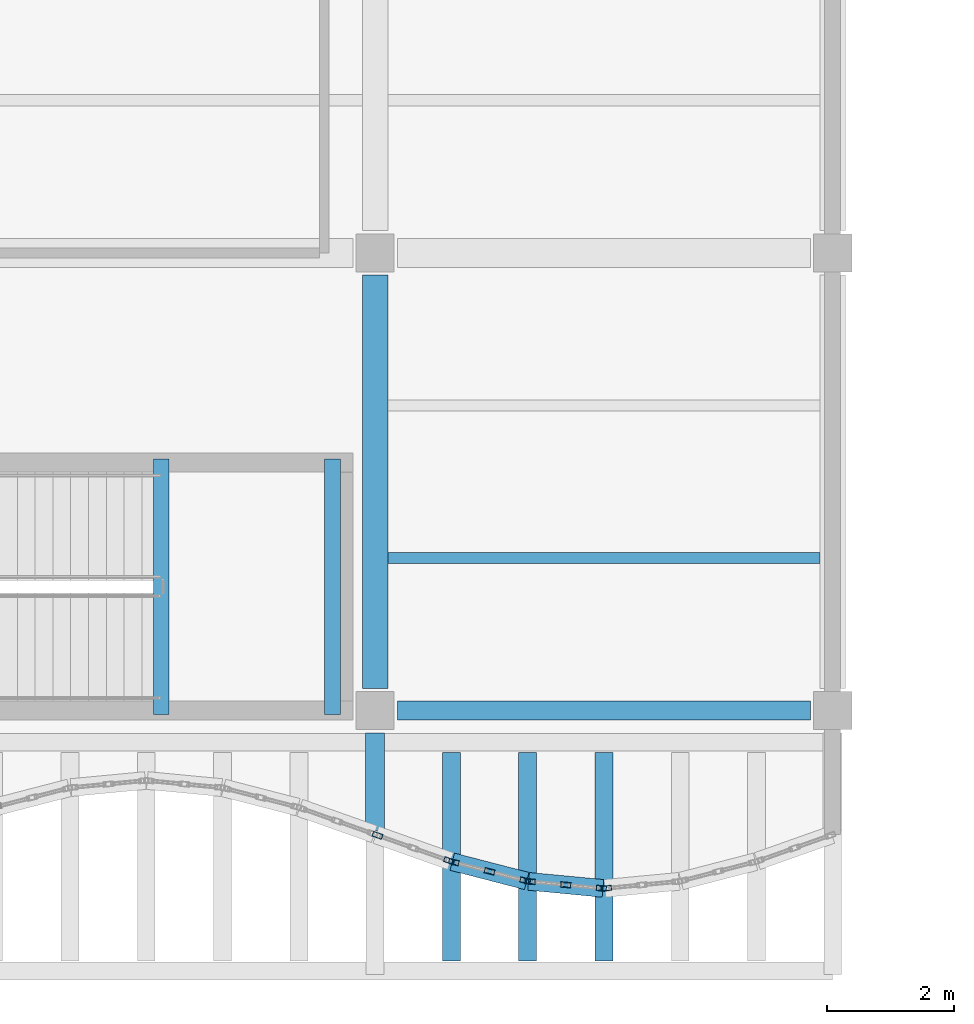
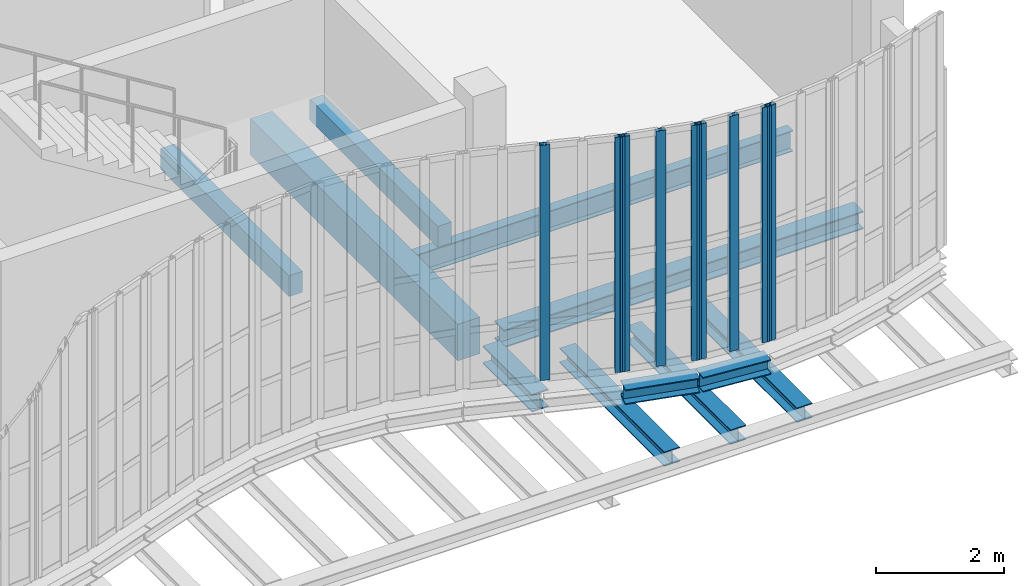
# One storey, part 33 of 105: 11 beams, 9 members, 4 elements without a shape of their own.
"""IFC4 building model written with IfcOpenShell, lengths in metres."""

from ifc_helpers import new_model, si_unit, direction, frame, origin, origin_2d, place, context, subcontext, project, spatial, rectangle, hollow_rectangle, i_section, extrude, material, layer, layer_set, material_profile, profile_set, type_object, element, aggregate, save


model = new_model("IFC4")

# Units and contexts
model_context = context("Model", 3, precision=1e-05, world=origin(), true_north=direction((0.0, 1.0)))
body_context = subcontext(model_context, "Body", "Model", "MODEL_VIEW")
ifc_project = project(units=[si_unit("LENGTHUNIT", "METRE"), si_unit("AREAUNIT", "SQUARE_METRE"), si_unit("VOLUMEUNIT", "CUBIC_METRE"), si_unit("PLANEANGLEUNIT", "RADIAN"), si_unit("MASSUNIT", "GRAM", prefix="KILO"), si_unit("THERMODYNAMICTEMPERATUREUNIT", "KELVIN"), si_unit("POWERUNIT", "WATT")], contexts=[model_context])

# Site, building, storey
site_placement = place(None, origin())
site = spatial("IfcSite", under=ifc_project, at=site_placement, CompositionType="ELEMENT")
building_placement = place(site_placement, origin())
building = spatial("IfcBuilding", under=site, at=building_placement, Name="Kaldorven Railside Theatre", CompositionType="ELEMENT")
storey_placement = place(building_placement, frame((0.0, 0.0, 9.89990234375)))
storey = spatial("IfcBuildingStorey", under=building, at=storey_placement, Name="L02", CompositionType="ELEMENT", Elevation=9.89990234375)

# Beams
ifc_material_1 = material(Name="Steel S355", Category="steel")
ifc_material_profile_1 = material_profile(ifc_material_1, i_section(OverallWidth=0.280029296875, OverallDepth=0.280029296875, WebThickness=0.010498046875, FlangeThickness=0.01806640625, at=origin_2d()), Name="HEB 280")
ifc_profile_set_1 = profile_set([ifc_material_profile_1], Name="Steel S355")
beam_type_1 = type_object("IfcBeamType", Name="BM-HEB280", PredefinedType="SPANDREL", material=ifc_profile_set_1)
beam_1_placement = place(storey_placement, frame((117.214599609375, 16.8212890625, -0.419921875), z_axis=(0.967967836725, -0.251074226206, 0.0), x_axis=(0.251074226206, 0.967967836725, 0.0)))
element("IfcBeam", 1, at=beam_1_placement, inside=storey, type_object=beam_type_1, Name="L02 Sinusoidal Flute Edge Spandrel FSB-140", PredefinedType="SPANDREL", context=body_context, shape_type="SweptSolid", body=[
    extrude(i_section(OverallWidth=0.280029296875, OverallDepth=0.280029296875, WebThickness=0.010498046875, FlangeThickness=0.01806640625, at=origin_2d()), origin(), (0.0, 0.0, 1.0), 1.209716796875),
])
beam_2_placement = place(storey_placement, frame((117.199951171875, 15.260009765625, -0.699951171875), z_axis=(0.0, 1.0, 0.0), x_axis=(-1.0, 0.0, 0.0)))
element("IfcBeam", 2, at=beam_2_placement, inside=storey, type_object=beam_type_1, Name="L02 Sinusoidal Diaphragm Rib Outrigger FOB-M140", PredefinedType="SPANDREL", context=body_context, shape_type="SweptSolid", body=[
    extrude(i_section(OverallWidth=0.280029296875, OverallDepth=0.280029296875, WebThickness=0.010498046875, FlangeThickness=0.01806640625, at=origin_2d()), origin(), (0.0, 0.0, 1.0), 3.280029296875),
])
beam_3_placement = place(storey_placement, frame((118.414794921875, 16.512451171875, -0.419921875), z_axis=(0.995526219207, -0.09448569665, 0.0), x_axis=(0.09448569665, 0.995526219207, 0.0)))
element("IfcBeam", 3, at=beam_3_placement, inside=storey, type_object=beam_type_1, Name="L02 Sinusoidal Flute Edge Spandrel FSB-141", PredefinedType="SPANDREL", context=body_context, shape_type="SweptSolid", body=[
    extrude(i_section(OverallWidth=0.280029296875, OverallDepth=0.280029296875, WebThickness=0.010498046875, FlangeThickness=0.01806640625, at=origin_2d()), origin(), (0.0, 0.0, 1.0), 1.17578125),
])
for number, where, z_axis, x_axis, name in (
    (4, (118.39990234375, 15.260009765625, -0.699951171875), (0.0, 1.0, 0.0), (-1.0, 0.0, 0.0), "L02 Sinusoidal Diaphragm Rib Outrigger FOB-M141"),
    (5, (119.60009765625, 15.260009765625, -0.699951171875), (0.0, 1.0, 0.0), (-1.0, 0.0, 0.0), "L02 Sinusoidal Diaphragm Rib Outrigger FOB-M142"),
):
    element("IfcBeam", number, at=place(storey_placement, frame(where, z_axis=z_axis, x_axis=x_axis)), inside=storey, type_object=beam_type_1, Name=name, PredefinedType="SPANDREL", context=body_context, shape_type="SweptSolid", body=[
        extrude(i_section(OverallWidth=0.280029296875, OverallDepth=0.280029296875, WebThickness=0.010498046875, FlangeThickness=0.01806640625, at=origin_2d()), origin(), (0.0, 0.0, 1.0), 3.280029296875),
    ])
ifc_material_profile_2 = material_profile(ifc_material_1, i_section(OverallWidth=0.300048828125, OverallDepth=0.340087890625, WebThickness=0.011962890625, FlangeThickness=0.021484375, at=origin_2d()), Name="HEB 340")
ifc_profile_set_2 = profile_set([ifc_material_profile_2], Name="Steel S355")
beam_type_2 = type_object("IfcBeamType", Name="BM-HEB340", PredefinedType="SPANDREL", material=ifc_profile_set_2)
beam_4_placement = place(storey_placement, frame((116.35009765625, 19.199951171875, -0.449951171875), z_axis=(1.0, 0.0, 0.0), x_axis=(0.0, 1.0, 0.0)))
element("IfcBeam", 6, at=beam_4_placement, inside=storey, type_object=beam_type_2, Name="L02 Girder BGX-L02-116-019", PredefinedType="SPANDREL", context=body_context, shape_type="SweptSolid", body=[
    extrude(i_section(OverallWidth=0.300048828125, OverallDepth=0.340087890625, WebThickness=0.011962890625, FlangeThickness=0.021484375, at=origin_2d()), origin(), (0.0, 0.0, 1.0), 6.5),
])
beam_5_placement = place(storey_placement, frame((116.0, 17.31005859375, -0.449951171875), z_axis=(0.0, 1.0, 0.0), x_axis=(-1.0, 0.0, 0.0)))
element("IfcBeam", 7, at=beam_5_placement, inside=storey, type_object=beam_type_2, Name="L02 Sinusoidal Veil Outrigger FOB-2116", PredefinedType="SPANDREL", context=body_context, shape_type="SweptSolid", body=[
    extrude(i_section(OverallWidth=0.300048828125, OverallDepth=0.340087890625, WebThickness=0.011962890625, FlangeThickness=0.021484375, at=origin_2d()), origin(), (0.0, 0.0, 1.0), 1.5400390625),
])
ifc_material_profile_3 = material_profile(ifc_material_1, i_section(OverallWidth=0.179931640625, OverallDepth=0.39990234375, WebThickness=0.008544921875, FlangeThickness=0.013427734375, at=origin_2d()), Name="IPE 400")
ifc_profile_set_3 = profile_set([ifc_material_profile_3], Name="Steel S355")
beam_type_3 = type_object("IfcBeamType", Name="BM-IPE400", PredefinedType="JOIST", material=ifc_profile_set_3)
beam_6_placement = place(storey_placement, frame((116.199951171875, 21.60009765625, -0.47998046875), z_axis=(1.0, 0.0, 0.0), x_axis=(0.0, 1.0, 0.0)))
element("IfcBeam", 8, at=beam_6_placement, inside=storey, type_object=beam_type_3, Name="L02 Secondary Floor Joist JG-L02-116-0216", PredefinedType="JOIST", context=body_context, shape_type="SweptSolid", body=[
    extrude(i_section(OverallWidth=0.179931640625, OverallDepth=0.39990234375, WebThickness=0.008544921875, FlangeThickness=0.013427734375, at=origin_2d()), origin(), (0.0, 0.0, 1.0), 6.800048828125),
])
ifc_material_2 = material(Name="Concrete C40/50", Category="concrete")
ifc_material_profile_4 = material_profile(ifc_material_2, rectangle(XDim=0.25, YDim=0.39990234375, at=origin_2d()), Name="RC 250x400")
ifc_profile_set_4 = profile_set([ifc_material_profile_4], Name="Concrete C40/50")
beam_type_4 = type_object("IfcBeamType", Name="BM-RC250x400", PredefinedType="LINTEL", material=ifc_profile_set_4)
for number, where, z_axis, x_axis, name in (
    (9, (112.635009765625, 19.139892578125, 1.85009765625), (0.0, 1.0, 0.0), (-1.0, 0.0, 0.0), "Stair ST-04 L02 Half-Landing Bearer"),
    (10, (115.330078125, 19.139892578125, 1.85009765625), (0.0, 1.0, 0.0), (-1.0, 0.0, 0.0), "Stair ST-04 L02 Half-Landing Bearer"),
):
    element("IfcBeam", number, at=place(storey_placement, frame(where, z_axis=z_axis, x_axis=x_axis)), inside=storey, type_object=beam_type_4, Name=name, PredefinedType="LINTEL", context=body_context, shape_type="SweptSolid", body=[
        extrude(rectangle(XDim=0.25, YDim=0.39990234375, at=origin_2d()), origin(), (0.0, 0.0, 1.0), 4.02001953125),
    ])
ifc_material_profile_5 = material_profile(ifc_material_2, rectangle(XDim=0.39990234375, YDim=0.699951171875, at=origin_2d()), Name="RC 400x700")
ifc_profile_set_5 = profile_set([ifc_material_profile_5], Name="Concrete C40/50")
beam_type_5 = type_object("IfcBeamType", Name="BM-RC400x700", PredefinedType="BEAM", material=ifc_profile_set_5)
beam_7_placement = place(storey_placement, frame((116.0, 19.550048828125, -0.6298828125), z_axis=(0.0, 1.0, 0.0), x_axis=(-1.0, 0.0, 0.0)))
element("IfcBeam", 11, at=beam_7_placement, inside=storey, type_object=beam_type_5, Name="L02 Girder BGY-L02-116-019-72", PredefinedType="BEAM", context=body_context, shape_type="SweptSolid", body=[
    extrude(rectangle(XDim=0.39990234375, YDim=0.699951171875, at=origin_2d()), origin(), (0.0, 0.0, 1.0), 6.5),
])

# Curtain wall, members
ifc_material_3 = material(Name="Low-E laminated solar-control glass", Category="glass")
ifc_layer_1 = layer(ifc_material_3, 0.159912109375, Name="Low-E laminated solar-control glass")
ifc_layer_set_1 = layer_set([ifc_layer_1], Name="Low-E laminated solar-control glass")
curtain_wall_type_1 = type_object("IfcCurtainWallType", Name="CWT-01", PredefinedType="USERDEFINED", material=ifc_layer_set_1)
curtain_wall_1_placement = place(storey_placement, origin())
curtain_wall_1 = element("IfcCurtainWall", 12, at=curtain_wall_1_placement, inside=storey, type_object=curtain_wall_type_1, Name="Sinusoidal Fluted Curtain Wall CW-L02-S67", ObjectType="FLUTED GLAZING", PredefinedType="USERDEFINED")
ifc_material_4 = material(Name="Anodised bronze aluminium", Category="aluminium")
ifc_material_profile_6 = material_profile(ifc_material_4, hollow_rectangle(XDim=0.080078125, YDim=0.159912109375, WallThickness=0.00634765625, at=origin_2d()), Name="RHS 160x80x6.3")
ifc_profile_set_6 = profile_set([ifc_material_profile_6], Name="Anodised bronze aluminium")
member_type = type_object("IfcMemberType", Name="CWM-160", PredefinedType="MULLION", material=ifc_profile_set_6)
member_1_placement = place(storey_placement, frame((116.03759765625, 17.236572265625, 0.0), z_axis=(0.0, 0.0, 1.0), x_axis=(0.33384714225, 0.942627225159, 0.0)))
member_1 = element("IfcMember", 13, at=member_1_placement, type_object=member_type, Name="CW-L02-S67 mullion 1", PredefinedType="MULLION", context=body_context, shape_type="SweptSolid", body=[
    extrude(hollow_rectangle(XDim=0.080078125, YDim=0.159912109375, WallThickness=0.00634765625, at=origin_2d()), origin(), (0.0, 0.0, 1.0), 4.5),
])
member_2_placement = place(storey_placement, frame((117.162353515625, 16.83837890625, 0.0), z_axis=(0.0, 0.0, 1.0), x_axis=(0.33384714225, 0.942627225159, 0.0)))
member_2 = element("IfcMember", 14, at=member_2_placement, type_object=member_type, Name="CW-L02-S67 mullion 3", PredefinedType="MULLION", context=body_context, shape_type="SweptSolid", body=[
    extrude(hollow_rectangle(XDim=0.080078125, YDim=0.159912109375, WallThickness=0.00634765625, at=origin_2d()), origin(), (0.0, 0.0, 1.0), 4.5),
])
aggregate(curtain_wall_1, [member_1, member_2])

ifc_layer_2 = layer(ifc_material_3, 0.159912109375, Name="Low-E laminated solar-control glass")
ifc_layer_set_2 = layer_set([ifc_layer_2], Name="Low-E laminated solar-control glass")
curtain_wall_type_2 = type_object("IfcCurtainWallType", Name="CWT-02", PredefinedType="USERDEFINED", material=ifc_layer_set_2)
curtain_wall_2_placement = place(storey_placement, origin())
curtain_wall_2 = element("IfcCurtainWall", 15, at=curtain_wall_2_placement, inside=storey, type_object=curtain_wall_type_2, Name="Sinusoidal Fluted Curtain Wall CW-L02-S68", ObjectType="FLUTED GLAZING", PredefinedType="USERDEFINED")
member_3_placement = place(storey_placement, frame((117.23876953125, 16.81494140625, 0.0), z_axis=(0.0, 0.0, 1.0), x_axis=(0.250953760326, 0.967999075505, 0.0)))
member_3 = element("IfcMember", 16, at=member_3_placement, type_object=member_type, Name="CW-L02-S68 mullion 1", PredefinedType="MULLION", context=body_context, shape_type="SweptSolid", body=[
    extrude(hollow_rectangle(XDim=0.080078125, YDim=0.159912109375, WallThickness=0.00634765625, at=origin_2d()), origin(), (0.0, 0.0, 1.0), 4.5),
])
member_4_placement = place(storey_placement, frame((117.800048828125, 16.66943359375, 0.0), z_axis=(0.0, 0.0, 1.0), x_axis=(0.250953760326, 0.967999075505, 0.0)))
member_4 = element("IfcMember", 17, at=member_4_placement, type_object=member_type, Name="CW-L02-S68 mullion 2", PredefinedType="MULLION", context=body_context, shape_type="SweptSolid", body=[
    extrude(hollow_rectangle(XDim=0.080078125, YDim=0.159912109375, WallThickness=0.00634765625, at=origin_2d()), origin(), (0.0, 0.0, 1.0), 4.5),
])
member_5_placement = place(storey_placement, frame((118.361328125, 16.52392578125, 0.0), z_axis=(0.0, 0.0, 1.0), x_axis=(0.250953760326, 0.967999075505, 0.0)))
member_5 = element("IfcMember", 18, at=member_5_placement, type_object=member_type, Name="CW-L02-S68 mullion 3", PredefinedType="MULLION", context=body_context, shape_type="SweptSolid", body=[
    extrude(hollow_rectangle(XDim=0.080078125, YDim=0.159912109375, WallThickness=0.00634765625, at=origin_2d()), origin(), (0.0, 0.0, 1.0), 4.5),
])
aggregate(curtain_wall_2, [member_3, member_4, member_5])

ifc_layer_3 = layer(ifc_material_3, 0.159912109375, Name="Low-E laminated solar-control glass")
ifc_layer_set_3 = layer_set([ifc_layer_3], Name="Low-E laminated solar-control glass")
curtain_wall_type_3 = type_object("IfcCurtainWallType", Name="CWT-03", PredefinedType="USERDEFINED", material=ifc_layer_set_3)
curtain_wall_3_placement = place(storey_placement, origin())
curtain_wall_3 = element("IfcCurtainWall", 19, at=curtain_wall_3_placement, inside=storey, type_object=curtain_wall_type_3, Name="Sinusoidal Fluted Curtain Wall CW-L02-S69", ObjectType="FLUTED GLAZING", PredefinedType="USERDEFINED")
member_6_placement = place(storey_placement, frame((118.43994140625, 16.510009765625, 0.0), z_axis=(0.0, 0.0, 1.0), x_axis=(0.094491973758, 0.995525623425, 0.0)))
member_6 = element("IfcMember", 20, at=member_6_placement, type_object=member_type, Name="CW-L02-S69 mullion 1", PredefinedType="MULLION", context=body_context, shape_type="SweptSolid", body=[
    extrude(hollow_rectangle(XDim=0.080078125, YDim=0.159912109375, WallThickness=0.00634765625, at=origin_2d()), origin(), (0.0, 0.0, 1.0), 4.5),
])
member_7_placement = place(storey_placement, frame((119.0, 16.45703125, 0.0), z_axis=(0.0, 0.0, 1.0), x_axis=(0.094491973758, 0.995525623425, 0.0)))
member_7 = element("IfcMember", 21, at=member_7_placement, type_object=member_type, Name="CW-L02-S69 mullion 2", PredefinedType="MULLION", context=body_context, shape_type="SweptSolid", body=[
    extrude(hollow_rectangle(XDim=0.080078125, YDim=0.159912109375, WallThickness=0.00634765625, at=origin_2d()), origin(), (0.0, 0.0, 1.0), 4.5),
])
member_8_placement = place(storey_placement, frame((119.56005859375, 16.40380859375, 0.0), z_axis=(0.0, 0.0, 1.0), x_axis=(0.094491973758, 0.995525623425, 0.0)))
member_8 = element("IfcMember", 22, at=member_8_placement, type_object=member_type, Name="CW-L02-S69 mullion 3", PredefinedType="MULLION", context=body_context, shape_type="SweptSolid", body=[
    extrude(hollow_rectangle(XDim=0.080078125, YDim=0.159912109375, WallThickness=0.00634765625, at=origin_2d()), origin(), (0.0, 0.0, 1.0), 4.5),
])
aggregate(curtain_wall_3, [member_6, member_7, member_8])

# Curtain wall, member
curtain_wall_4_placement = place(storey_placement, origin())
curtain_wall_4 = element("IfcCurtainWall", 23, at=curtain_wall_4_placement, inside=storey, type_object=curtain_wall_type_3, Name="Sinusoidal Fluted Curtain Wall CW-L02-S70", ObjectType="FLUTED GLAZING", PredefinedType="USERDEFINED")
member_9_placement = place(storey_placement, frame((119.639892578125, 16.40380859375, 0.0), z_axis=(0.0, 0.0, 1.0), x_axis=(-0.094491973758, 0.995525623425, 0.0)))
member_9 = element("IfcMember", 24, at=member_9_placement, type_object=member_type, Name="CW-L02-S70 mullion 1", PredefinedType="MULLION", context=body_context, shape_type="SweptSolid", body=[
    extrude(hollow_rectangle(XDim=0.080078125, YDim=0.159912109375, WallThickness=0.00634765625, at=origin_2d()), origin(), (0.0, 0.0, 1.0), 4.5),
])
aggregate(curtain_wall_4, [member_9])

save(model, "model.ifc")
